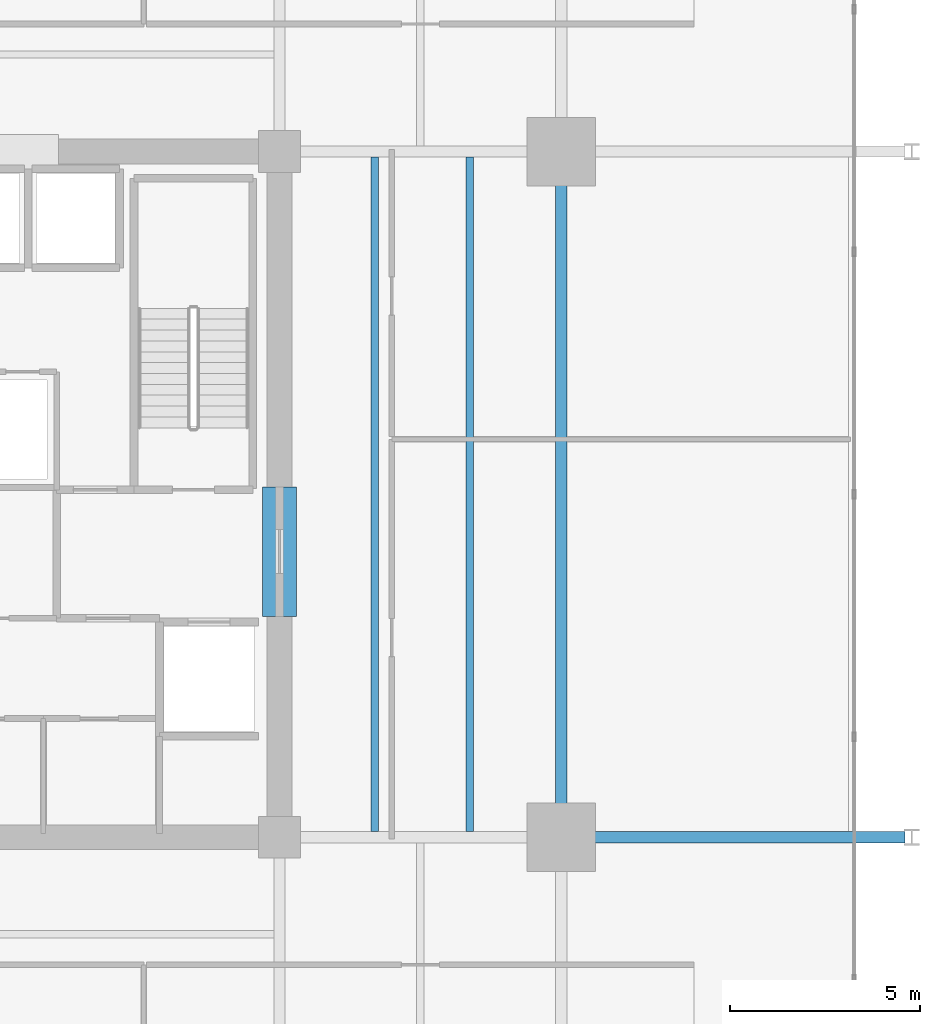
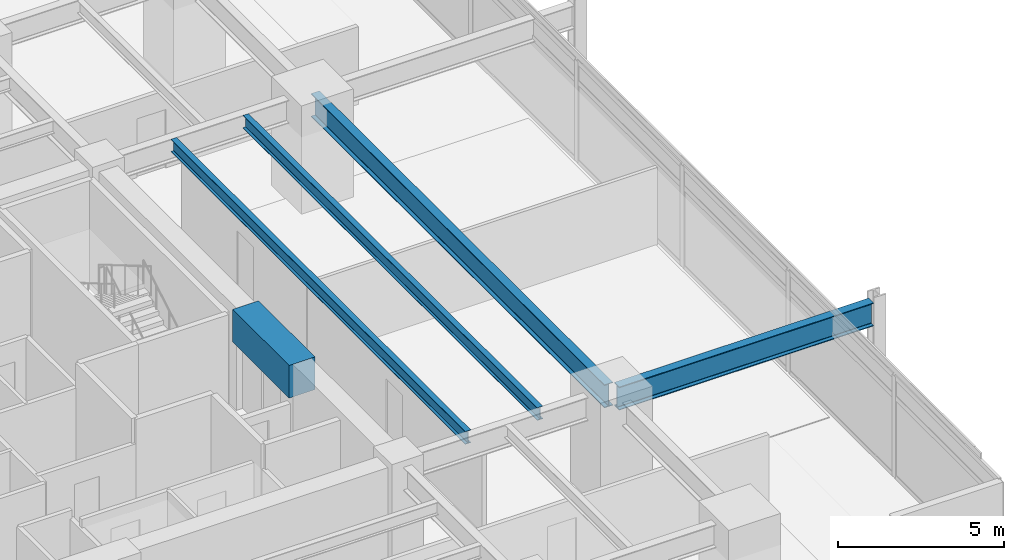
# One storey, part 8 of 22: 5 beams.
"""IFC4 building model written with IfcOpenShell, lengths in metres."""

from ifc_helpers import new_model, si_unit, direction, frame, origin, origin_2d, place, context, subcontext, project, spatial, rectangle, i_section, extrude, material, material_profile, profile_set, type_object, element, save


model = new_model("IFC4")

# Units and contexts
model_context = context("Model", 3, precision=1e-05, world=origin(), true_north=direction((0.0, 1.0)))
body_context = subcontext(model_context, "Body", "Model", "MODEL_VIEW")
ifc_project = project(units=[si_unit("LENGTHUNIT", "METRE"), si_unit("AREAUNIT", "SQUARE_METRE"), si_unit("VOLUMEUNIT", "CUBIC_METRE"), si_unit("PLANEANGLEUNIT", "RADIAN"), si_unit("MASSUNIT", "GRAM", prefix="KILO")], contexts=[model_context])

# Site, building, storey
site_placement = place(None, origin())
site = spatial("IfcSite", under=ifc_project, at=site_placement, CompositionType="ELEMENT")
building_placement = place(site_placement, origin())
building = spatial("IfcBuilding", under=site, at=building_placement, Name="Kovane Verandah Tower", CompositionType="ELEMENT")
storey_placement = place(building_placement, frame((0.0, 0.0, 71.60009765625)))
storey = spatial("IfcBuildingStorey", under=building, at=storey_placement, Name="L16", CompositionType="ELEMENT", Elevation=71.60009765625)

# Beams
ifc_material_1 = material(Name="Concrete C80/95", Category="concrete")
ifc_material_profile_1 = material_profile(ifc_material_1, rectangle(XDim=0.89990234375, YDim=1.199951171875, at=origin_2d()), Name="RCB900x1200")
ifc_profile_set_1 = profile_set([ifc_material_profile_1], Name="Concrete C80/95")
beam_type_1 = type_object("IfcBeamType", Name="BM-LINTEL-900x1200", PredefinedType="LINTEL", material=ifc_profile_set_1)
beam_1_placement = place(storey_placement, frame((51.0, 24.300048828125, 3.159912109375), z_axis=(0.0, 1.0, 0.0), x_axis=(-1.0, 0.0, 0.0)))
element("IfcBeam", 1, at=beam_1_placement, inside=storey, type_object=beam_type_1, Name="L16 Core Coupling Lintel CL-E", PredefinedType="LINTEL", context=body_context, shape_type="SweptSolid", body=[
    extrude(rectangle(XDim=0.89990234375, YDim=1.199951171875, at=origin_2d()), origin(), (0.0, 0.0, 1.0), 3.39990234375),
])
ifc_material_2 = material(Name="Steel S355", Category="steel")
ifc_material_profile_2 = material_profile(ifc_material_2, i_section(OverallWidth=0.293701171875, OverallDepth=0.850830078125, WebThickness=0.01611328125, FlangeThickness=0.02685546875, FilletRadius=0.017822265625, at=origin_2d()), Name="UB838x292x226")
ifc_profile_set_2 = profile_set([ifc_material_profile_2], Name="Steel S355")
beam_type_2 = type_object("IfcBeamType", Name="BM-UB838x226", PredefinedType="BEAM", material=ifc_profile_set_2)
beam_2_placement = place(storey_placement, frame((58.39990234375, 18.679931640625, 3.33447265625), z_axis=(0.0, 1.0, 0.0), x_axis=(-1.0, 0.0, 0.0)))
element("IfcBeam", 2, at=beam_2_placement, inside=storey, type_object=beam_type_2, Name="L16 Primary Tower Girder G-RE2", PredefinedType="BEAM", context=body_context, shape_type="SweptSolid", body=[
    extrude(i_section(OverallWidth=0.293701171875, OverallDepth=0.850830078125, WebThickness=0.01611328125, FlangeThickness=0.02685546875, FilletRadius=0.017822265625, at=origin_2d()), origin(), (0.0, 0.0, 1.0), 17.64013671875),
])
beam_3_placement = place(storey_placement, frame((58.580078125, 18.5, 3.33447265625), z_axis=(1.0, 0.0, 0.0), x_axis=(0.0, 1.0, 0.0)))
element("IfcBeam", 3, at=beam_3_placement, inside=storey, type_object=beam_type_2, Name="L16 Primary Tower Girder G-VE1", PredefinedType="BEAM", context=body_context, shape_type="SweptSolid", body=[
    extrude(i_section(OverallWidth=0.293701171875, OverallDepth=0.850830078125, WebThickness=0.01611328125, FlangeThickness=0.02685546875, FilletRadius=0.017822265625, at=origin_2d()), origin(), (0.0, 0.0, 1.0), 8.83984375),
])
ifc_material_profile_3 = material_profile(ifc_material_2, i_section(OverallWidth=0.19287109375, OverallDepth=0.46728515625, WebThickness=0.011474609375, FlangeThickness=0.01953125, FilletRadius=0.01025390625, at=origin_2d()), Name="UB457x191x98")
ifc_profile_set_3 = profile_set([ifc_material_profile_3], Name="Steel S355")
beam_type_3 = type_object("IfcBeamType", Name="JST-UB457x98", PredefinedType="JOIST", material=ifc_profile_set_3)
for number, where, z_axis, x_axis, name in (
    (4, (53.5, 18.64501953125, 3.5263671875), (0.0, 1.0, 0.0), (-1.0, 0.0, 0.0), "L16 Secondary Composite Joist J-E1"),
    (5, (56.0, 18.64501953125, 3.5263671875), (0.0, 1.0, 0.0), (-1.0, 0.0, 0.0), "L16 Secondary Composite Joist J-E2"),
):
    element("IfcBeam", number, at=place(storey_placement, frame(where, z_axis=z_axis, x_axis=x_axis)), inside=storey, type_object=beam_type_3, Name=name, PredefinedType="JOIST", context=body_context, shape_type="SweptSolid", body=[
        extrude(i_section(OverallWidth=0.19287109375, OverallDepth=0.46728515625, WebThickness=0.011474609375, FlangeThickness=0.01953125, FilletRadius=0.01025390625, at=origin_2d()), origin(), (0.0, 0.0, 1.0), 17.7099609375),
    ])

save(model, "model.ifc")
